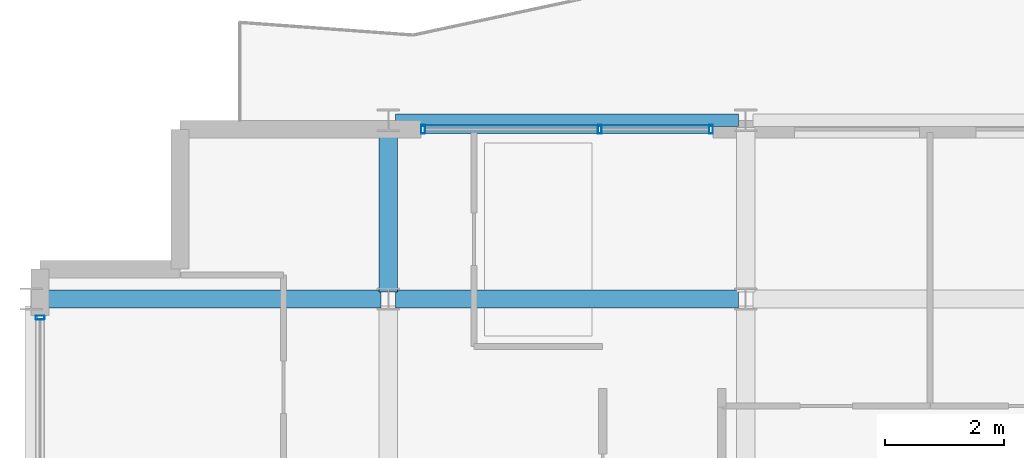
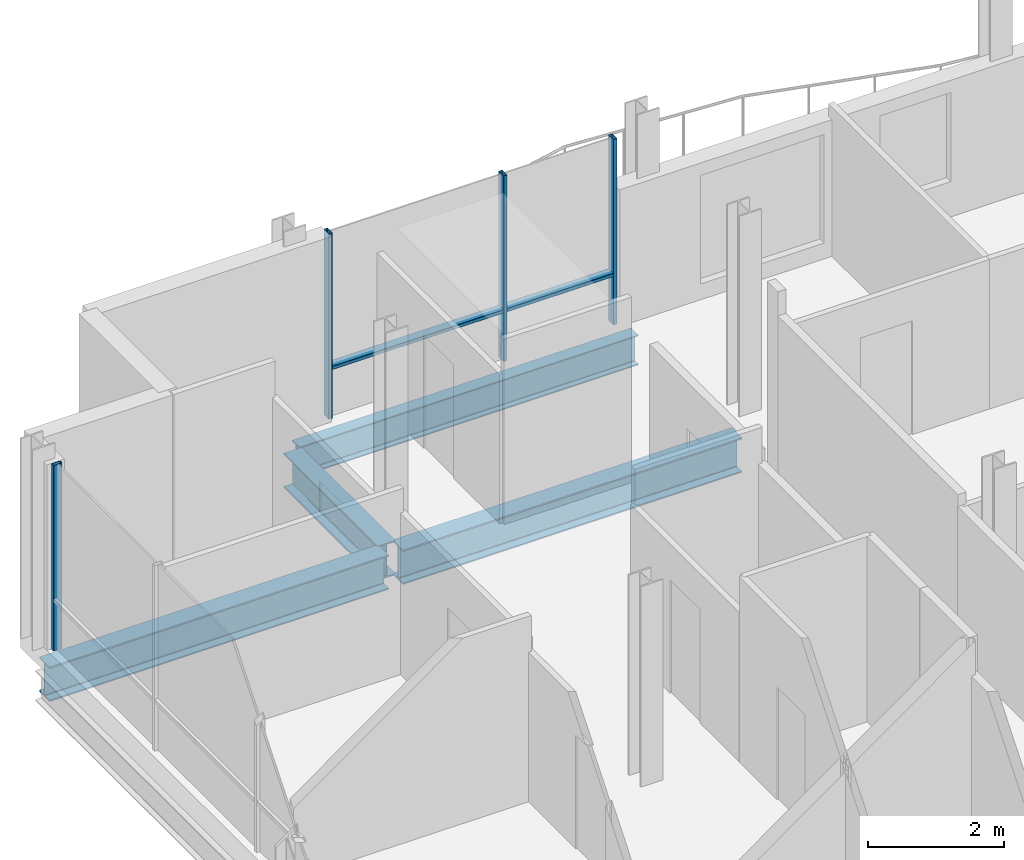
# One storey, part 8 of 35: 6 members, 4 beams, 2 elements without a shape of their own.
"""IFC4 building model written with IfcOpenShell, lengths in metres."""

from ifc_helpers import new_model, si_unit, direction, frame, origin, origin_2d, place, context, subcontext, project, spatial, hollow_rectangle, i_section, extrude, material, layer, layer_set, material_profile, profile_set, type_object, element, aggregate, save


model = new_model("IFC4")

# Units and contexts
model_context = context("Model", 3, precision=1e-05, world=origin(), true_north=direction((0.0, 1.0)))
body_context = subcontext(model_context, "Body", "Model", "MODEL_VIEW")
ifc_project = project(units=[si_unit("LENGTHUNIT", "METRE"), si_unit("AREAUNIT", "SQUARE_METRE"), si_unit("VOLUMEUNIT", "CUBIC_METRE"), si_unit("PLANEANGLEUNIT", "RADIAN"), si_unit("MASSUNIT", "GRAM", prefix="KILO")], contexts=[model_context])

# Site, building, storey
site_placement = place(None, origin())
site = spatial("IfcSite", under=ifc_project, at=site_placement, CompositionType="ELEMENT")
building_placement = place(site_placement, origin())
building = spatial("IfcBuilding", under=site, at=building_placement, Name="Brevholm Reach", CompositionType="ELEMENT")
storey_placement = place(building_placement, frame((0.0, 0.0, 214.39990234375)))
storey = spatial("IfcBuildingStorey", under=building, at=storey_placement, Name="L65", CompositionType="ELEMENT", Elevation=214.39990234375)

# Beams
ifc_material_1 = material(Name="Structural Steel S355J2", Category="steel")
ifc_material_profile_1 = material_profile(ifc_material_1, i_section(OverallWidth=0.210693359375, OverallDepth=0.53955078125, WebThickness=0.01171875, FlangeThickness=0.018798828125, FilletRadius=0.0126953125, at=origin_2d()), Name="UKB 533x210x109")
ifc_profile_set_1 = profile_set([ifc_material_profile_1], Name="Structural Steel S355J2")
beam_type_1 = type_object("IfcBeamType", Name="BM-SP539", PredefinedType="SPANDREL", material=ifc_profile_set_1)
beam_1_placement = place(storey_placement, frame((6.1201171875, 26.5, -0.689697265625), z_axis=(1.0, 0.0, 0.0), x_axis=(0.0, 1.0, 0.0)))
element("IfcBeam", 1, at=beam_1_placement, inside=storey, type_object=beam_type_1, Name="L65 SP-01B Framing Beam", PredefinedType="SPANDREL", context=body_context, shape_type="SweptSolid", body=[
    extrude(i_section(OverallWidth=0.210693359375, OverallDepth=0.53955078125, WebThickness=0.01171875, FlangeThickness=0.018798828125, FilletRadius=0.0126953125, at=origin_2d()), origin(), (0.0, 0.0, 1.0), 5.759765625),
])
ifc_material_2 = material(Name="Structural Steel S355J2", Category="steel")
ifc_material_profile_2 = material_profile(ifc_material_2, i_section(OverallWidth=0.30712890625, OverallDepth=0.6201171875, WebThickness=0.01416015625, FlangeThickness=0.023681640625, FilletRadius=0.0166015625, at=origin_2d()), Name="UKB 610x305x179")
ifc_profile_set_2 = profile_set([ifc_material_profile_2], Name="Structural Steel S355J2")
beam_type_2 = type_object("IfcBeamType", Name="BM-UKB610H", PredefinedType="USERDEFINED", material=ifc_profile_set_2)
for number, where, z_axis, x_axis, name in (
    (2, (0.1201171875, 23.5, -0.72998046875), (1.0, 0.0, 0.0), (0.0, 1.0, 0.0), "L65 G-06 Framing Beam"),
    (3, (6.1201171875, 23.5, -0.72998046875), (1.0, 0.0, 0.0), (0.0, 1.0, 0.0), "L65 G-06 Framing Beam"),
):
    element("IfcBeam", number, at=place(storey_placement, frame(where, z_axis=z_axis, x_axis=x_axis)), inside=storey, type_object=beam_type_2, Name=name, ObjectType="GIRDER", PredefinedType="USERDEFINED", context=body_context, shape_type="SweptSolid", body=[
        extrude(i_section(OverallWidth=0.30712890625, OverallDepth=0.6201171875, WebThickness=0.01416015625, FlangeThickness=0.023681640625, FilletRadius=0.0166015625, at=origin_2d()), origin(), (0.0, 0.0, 1.0), 5.759765625),
    ])
beam_2_placement = place(storey_placement, frame((6.0, 23.6201171875, -0.72998046875), z_axis=(0.0, 1.0, 0.0), x_axis=(-1.0, 0.0, 0.0)))
element("IfcBeam", 4, at=beam_2_placement, inside=storey, type_object=beam_type_2, Name="L65 G-06 Framing Beam", ObjectType="GIRDER", PredefinedType="USERDEFINED", context=body_context, shape_type="SweptSolid", body=[
    extrude(i_section(OverallWidth=0.30712890625, OverallDepth=0.6201171875, WebThickness=0.01416015625, FlangeThickness=0.023681640625, FilletRadius=0.0166015625, at=origin_2d()), origin(), (0.0, 0.0, 1.0), 2.759765625),
])

# Curtain wall, member
ifc_material_3 = material(Name="Dark Anodised Aluminium 6063-T6 and Solar-Control Glass", Category="aluminium")
ifc_layer = layer(ifc_material_3, 0.14990234375)
ifc_layer_set = layer_set([ifc_layer], Name="Dark Anodised Aluminium 6063-T6 and Solar-Control Glass")
curtain_wall_type = type_object("IfcCurtainWallType", Name="CW-01", PredefinedType="NOTDEFINED", material=ifc_layer_set)
curtain_wall_1_placement = place(storey_placement, origin())
curtain_wall_1 = element("IfcCurtainWall", 5, at=curtain_wall_1_placement, inside=storey, type_object=curtain_wall_type, Name="L65 Curtain Wall CW-01", PredefinedType="NOTDEFINED")
ifc_material_4 = material(Name="Dark Anodised Aluminium 6063-T6", Category="aluminium")
ifc_material_profile_3 = material_profile(ifc_material_4, hollow_rectangle(XDim=0.06494140625, YDim=0.14990234375, WallThickness=0.0048828125, InnerFilletRadius=0.0048828125, OuterFilletRadius=0.010009765625, at=origin_2d()), Name="RHS 150x65x5")
ifc_profile_set_3 = profile_set([ifc_material_profile_3], Name="Dark Anodised Aluminium 6063-T6")
member_type_1 = type_object("IfcMemberType", Name="CWM-150", PredefinedType="MULLION", material=ifc_profile_set_3)
member_1_placement = place(storey_placement, frame((0.14990234375, 23.1875, 0.0), z_axis=(0.0, 0.0, 1.0), x_axis=(0.0, -1.0, 0.0)))
member_1 = element("IfcMember", 6, at=member_1_placement, type_object=member_type_1, Name="CM-150 Mullion 1", PredefinedType="MULLION", context=body_context, shape_type="SweptSolid", body=[
    extrude(hollow_rectangle(XDim=0.06494140625, YDim=0.14990234375, WallThickness=0.0048828125, InnerFilletRadius=0.0048828125, OuterFilletRadius=0.010009765625, at=origin_2d()), origin(), (0.0, 0.0, 1.0), 3.330078125),
])
aggregate(curtain_wall_1, [member_1])

# Curtain wall, members
curtain_wall_2_placement = place(storey_placement, origin())
curtain_wall_2 = element("IfcCurtainWall", 7, at=curtain_wall_2_placement, inside=storey, type_object=curtain_wall_type, Name="L65 Curtain Wall CW-01", PredefinedType="NOTDEFINED")
member_2_placement = place(storey_placement, frame((6.58251953125, 26.35009765625, 0.0), z_axis=(0.0, 0.0, 1.0), x_axis=(1.0, 0.0, 0.0)))
member_2 = element("IfcMember", 8, at=member_2_placement, type_object=member_type_1, Name="CM-150 Mullion 1", PredefinedType="MULLION", context=body_context, shape_type="SweptSolid", body=[
    extrude(hollow_rectangle(XDim=0.06494140625, YDim=0.14990234375, WallThickness=0.0048828125, InnerFilletRadius=0.0048828125, OuterFilletRadius=0.010009765625, at=origin_2d()), origin(), (0.0, 0.0, 1.0), 3.330078125),
])
member_3_placement = place(storey_placement, frame((9.550048828125, 26.35009765625, 0.0), z_axis=(0.0, 0.0, 1.0), x_axis=(1.0, 0.0, 0.0)))
member_3 = element("IfcMember", 9, at=member_3_placement, type_object=member_type_1, Name="CM-150 Mullion 2", PredefinedType="MULLION", context=body_context, shape_type="SweptSolid", body=[
    extrude(hollow_rectangle(XDim=0.06494140625, YDim=0.14990234375, WallThickness=0.0048828125, InnerFilletRadius=0.0048828125, OuterFilletRadius=0.010009765625, at=origin_2d()), origin(), (0.0, 0.0, 1.0), 3.330078125),
])
member_4_placement = place(storey_placement, frame((11.41748046875, 26.35009765625, 0.0), z_axis=(0.0, 0.0, 1.0), x_axis=(1.0, 0.0, 0.0)))
member_4 = element("IfcMember", 10, at=member_4_placement, type_object=member_type_1, Name="CM-150 Mullion 3", PredefinedType="MULLION", context=body_context, shape_type="SweptSolid", body=[
    extrude(hollow_rectangle(XDim=0.06494140625, YDim=0.14990234375, WallThickness=0.0048828125, InnerFilletRadius=0.0048828125, OuterFilletRadius=0.010009765625, at=origin_2d()), origin(), (0.0, 0.0, 1.0), 3.330078125),
])
ifc_material_5 = material(Name="Dark Anodised Aluminium 6063-T6", Category="aluminium")
ifc_material_profile_4 = material_profile(ifc_material_5, hollow_rectangle(XDim=0.06494140625, YDim=0.14990234375, WallThickness=0.0048828125, InnerFilletRadius=0.0048828125, OuterFilletRadius=0.010009765625, at=origin_2d()), Name="RHS 150x65x5")
ifc_profile_set_4 = profile_set([ifc_material_profile_4], Name="Dark Anodised Aluminium 6063-T6")
member_type_2 = type_object("IfcMemberType", Name="CWT-150", PredefinedType="NOTDEFINED", material=ifc_profile_set_4)
member_5_placement = place(storey_placement, frame((6.614990234375, 26.35009765625, 0.900146484375), z_axis=(1.0, 0.0, 0.0), x_axis=(0.0, 0.0, 1.0)))
member_5 = element("IfcMember", 11, at=member_5_placement, type_object=member_type_2, Name="CT-150 Transom 1.1", ObjectType="TRANSOM", PredefinedType="USERDEFINED", context=body_context, shape_type="SweptSolid", body=[
    extrude(hollow_rectangle(XDim=0.06494140625, YDim=0.14990234375, WallThickness=0.0048828125, InnerFilletRadius=0.0048828125, OuterFilletRadius=0.010009765625, at=origin_2d()), origin(), (0.0, 0.0, 1.0), 2.902587890625),
])
member_6_placement = place(storey_placement, frame((9.58251953125, 26.35009765625, 0.900146484375), z_axis=(1.0, 0.0, 0.0), x_axis=(0.0, 0.0, 1.0)))
member_6 = element("IfcMember", 12, at=member_6_placement, type_object=member_type_2, Name="CT-150 Transom 2.1", ObjectType="TRANSOM", PredefinedType="USERDEFINED", context=body_context, shape_type="SweptSolid", body=[
    extrude(hollow_rectangle(XDim=0.06494140625, YDim=0.14990234375, WallThickness=0.0048828125, InnerFilletRadius=0.0048828125, OuterFilletRadius=0.010009765625, at=origin_2d()), origin(), (0.0, 0.0, 1.0), 1.802490234375),
])
aggregate(curtain_wall_2, [member_2, member_3, member_4, member_5, member_6])

save(model, "model.ifc")
